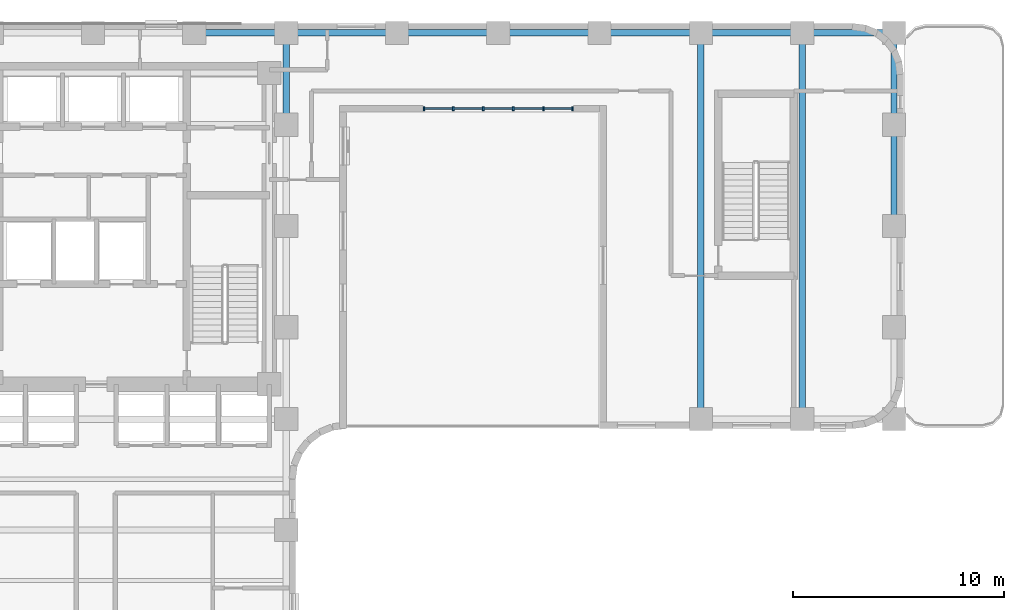
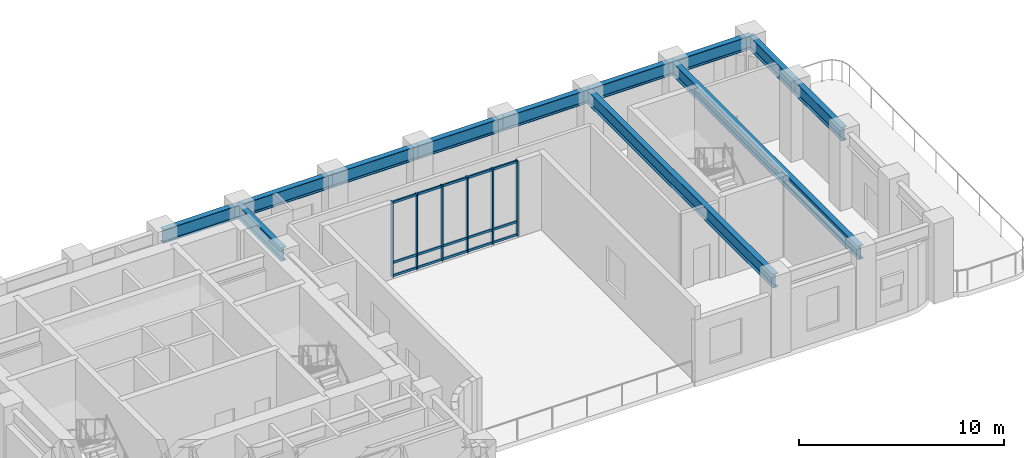
# One storey, part 4 of 12: 21 members, 12 beams, 1 element without a shape of its own.
"""IFC4 building model written with IfcOpenShell, lengths in metres."""

from ifc_helpers import new_model, si_unit, direction, frame, origin, origin_2d, place, context, subcontext, project, spatial, rectangle, i_section, extrude, material, material_profile, profile_set, type_object, element, aggregate, save


model = new_model("IFC4")

# Units and contexts
model_context = context("Model", 3, precision=1e-05, world=origin(), true_north=direction((0.0, 1.0)))
body_context = subcontext(model_context, "Body", "Model", "MODEL_VIEW")
ifc_project = project(units=[si_unit("LENGTHUNIT", "METRE"), si_unit("AREAUNIT", "SQUARE_METRE"), si_unit("VOLUMEUNIT", "CUBIC_METRE"), si_unit("PLANEANGLEUNIT", "RADIAN"), si_unit("MASSUNIT", "GRAM", prefix="KILO")], contexts=[model_context])

# Site, building, storey
site_placement = place(None, origin())
site = spatial("IfcSite", under=ifc_project, at=site_placement, CompositionType="ELEMENT")
building_placement = place(site_placement, origin())
building = spatial("IfcBuilding", under=site, at=building_placement, Name="Orvandelia Arch Residences", CompositionType="ELEMENT")
storey_placement = place(building_placement, frame((0.0, 0.0, 97.0)))
storey = spatial("IfcBuildingStorey", under=building, at=storey_placement, Name="L25", CompositionType="ELEMENT", Elevation=97.0)

# Beams
ifc_material_1 = material(Name="Structural Steel SM355 (355 MPa)", Category="steel")
ifc_material_profile_1 = material_profile(ifc_material_1, i_section(OverallWidth=0.300048828125, OverallDepth=0.800048828125, WebThickness=0.013916015625, FlangeThickness=0.02587890625, FilletRadius=0.02587890625, at=origin_2d()), Name="Structural Steel SM355 (355 MPa)", Category="steel")
ifc_profile_set_1 = profile_set([ifc_material_profile_1], Name="Structural Steel SM355 (355 MPa)")
beam_type = type_object("IfcBeamType", Name="BM-GRD-H800", PredefinedType="BEAM", material=ifc_profile_set_1)
beam_1_placement = place(storey_placement, frame((23.550048828125, 43.199951171875, 4.10009765625), z_axis=(0.0, 1.0, 0.0), x_axis=(-1.0, 0.0, 0.0)))
element("IfcBeam", 1, at=beam_1_placement, inside=storey, type_object=beam_type, Name="Structural Frame Beam L25-NS-017", PredefinedType="BEAM", context=body_context, shape_type="SweptSolid", body=[
    extrude(i_section(OverallWidth=0.300048828125, OverallDepth=0.800048828125, WebThickness=0.013916015625, FlangeThickness=0.02587890625, FilletRadius=0.02587890625, at=origin_2d()), origin(), (0.0, 0.0, 1.0), 4.35009765625),
])
for number, where, z_axis, x_axis, name in (
    (2, (43.199951171875, 29.25, 4.10009765625), (0.0, 1.0, 0.0), (-1.0, 0.0, 0.0), "Structural Frame Beam L25-NS-018"),
    (3, (48.0, 29.25, 4.10009765625), (0.0, 1.0, 0.0), (-1.0, 0.0, 0.0), "Structural Frame Beam L25-NS-019"),
):
    element("IfcBeam", number, at=place(storey_placement, frame(where, z_axis=z_axis, x_axis=x_axis)), inside=storey, type_object=beam_type, Name=name, PredefinedType="BEAM", context=body_context, shape_type="SweptSolid", body=[
        extrude(i_section(OverallWidth=0.300048828125, OverallDepth=0.800048828125, WebThickness=0.013916015625, FlangeThickness=0.02587890625, FilletRadius=0.02587890625, at=origin_2d()), origin(), (0.0, 0.0, 1.0), 18.300048828125),
    ])
beam_2_placement = place(storey_placement, frame((52.35009765625, 38.39990234375, 4.10009765625), z_axis=(0.0, 1.0, 0.0), x_axis=(-1.0, 0.0, 0.0)))
element("IfcBeam", 4, at=beam_2_placement, inside=storey, type_object=beam_type, Name="Structural Frame Beam L25-NS-022", PredefinedType="BEAM", context=body_context, shape_type="SweptSolid", body=[
    extrude(i_section(OverallWidth=0.300048828125, OverallDepth=0.800048828125, WebThickness=0.013916015625, FlangeThickness=0.02587890625, FilletRadius=0.02587890625, at=origin_2d()), origin(), (0.0, 0.0, 1.0), 4.800048828125),
])
for number, where, z_axis, x_axis, name in (
    (5, (52.35009765625, 43.199951171875, 4.10009765625), (0.0, 1.0, 0.0), (-1.0, 0.0, 0.0), "Structural Frame Beam L25-NS-023"),
    (6, (19.199951171875, 47.550048828125, 4.10009765625), (1.0, 0.0, 0.0), (0.0, 1.0, 0.0), "Structural Frame Girder L25-EW-040"),
):
    element("IfcBeam", number, at=place(storey_placement, frame(where, z_axis=z_axis, x_axis=x_axis)), inside=storey, type_object=beam_type, Name=name, PredefinedType="BEAM", context=body_context, shape_type="SweptSolid", body=[
        extrude(i_section(OverallWidth=0.300048828125, OverallDepth=0.800048828125, WebThickness=0.013916015625, FlangeThickness=0.02587890625, FilletRadius=0.02587890625, at=origin_2d()), origin(), (0.0, 0.0, 1.0), 4.35009765625),
    ])
beam_3_placement = place(storey_placement, frame((23.550048828125, 47.550048828125, 4.10009765625), z_axis=(1.0, 0.0, 0.0), x_axis=(0.0, 1.0, 0.0)))
element("IfcBeam", 7, at=beam_3_placement, inside=storey, type_object=beam_type, Name="Structural Frame Girder L25-EW-041", PredefinedType="BEAM", context=body_context, shape_type="SweptSolid", body=[
    extrude(i_section(OverallWidth=0.300048828125, OverallDepth=0.800048828125, WebThickness=0.013916015625, FlangeThickness=0.02587890625, FilletRadius=0.02587890625, at=origin_2d()), origin(), (0.0, 0.0, 1.0), 5.25),
])
beam_4_placement = place(storey_placement, frame((28.800048828125, 47.550048828125, 4.10009765625), z_axis=(1.0, 0.0, 0.0), x_axis=(0.0, 1.0, 0.0)))
element("IfcBeam", 8, at=beam_4_placement, inside=storey, type_object=beam_type, Name="Structural Frame Girder L25-EW-042", PredefinedType="BEAM", context=body_context, shape_type="SweptSolid", body=[
    extrude(i_section(OverallWidth=0.300048828125, OverallDepth=0.800048828125, WebThickness=0.013916015625, FlangeThickness=0.02587890625, FilletRadius=0.02587890625, at=origin_2d()), origin(), (0.0, 0.0, 1.0), 4.800048828125),
])
beam_5_placement = place(storey_placement, frame((33.60009765625, 47.550048828125, 4.10009765625), z_axis=(1.0, 0.0, 0.0), x_axis=(0.0, 1.0, 0.0)))
element("IfcBeam", 9, at=beam_5_placement, inside=storey, type_object=beam_type, Name="Structural Frame Girder L25-EW-043", PredefinedType="BEAM", context=body_context, shape_type="SweptSolid", body=[
    extrude(i_section(OverallWidth=0.300048828125, OverallDepth=0.800048828125, WebThickness=0.013916015625, FlangeThickness=0.02587890625, FilletRadius=0.02587890625, at=origin_2d()), origin(), (0.0, 0.0, 1.0), 4.7998046875),
])
for number, where, z_axis, x_axis, name in (
    (10, (38.39990234375, 47.550048828125, 4.10009765625), (1.0, 0.0, 0.0), (0.0, 1.0, 0.0), "Structural Frame Girder L25-EW-044"),
    (11, (43.199951171875, 47.550048828125, 4.10009765625), (1.0, 0.0, 0.0), (0.0, 1.0, 0.0), "Structural Frame Girder L25-EW-045"),
):
    element("IfcBeam", number, at=place(storey_placement, frame(where, z_axis=z_axis, x_axis=x_axis)), inside=storey, type_object=beam_type, Name=name, PredefinedType="BEAM", context=body_context, shape_type="SweptSolid", body=[
        extrude(i_section(OverallWidth=0.300048828125, OverallDepth=0.800048828125, WebThickness=0.013916015625, FlangeThickness=0.02587890625, FilletRadius=0.02587890625, at=origin_2d()), origin(), (0.0, 0.0, 1.0), 4.800048828125),
    ])
beam_6_placement = place(storey_placement, frame((48.0, 47.550048828125, 4.10009765625), z_axis=(1.0, 0.0, 0.0), x_axis=(0.0, 1.0, 0.0)))
element("IfcBeam", 12, at=beam_6_placement, inside=storey, type_object=beam_type, Name="Structural Frame Girder L25-EW-046", PredefinedType="BEAM", context=body_context, shape_type="SweptSolid", body=[
    extrude(i_section(OverallWidth=0.300048828125, OverallDepth=0.800048828125, WebThickness=0.013916015625, FlangeThickness=0.02587890625, FilletRadius=0.02587890625, at=origin_2d()), origin(), (0.0, 0.0, 1.0), 4.35009765625),
])

# Curtain wall, members
ifc_material_2 = material(Name="Anodised Bronze Curtain Wall Assembly")
curtain_wall_type = type_object("IfcCurtainWallType", Name="CW-SYS3-SKY", PredefinedType="NOTDEFINED", material=ifc_material_2)
curtain_wall_placement = place(storey_placement, origin())
curtain_wall = element("IfcCurtainWall", 13, at=curtain_wall_placement, inside=storey, type_object=curtain_wall_type, Name="Sky Garden Bridge Curtain Wall L25 5", PredefinedType="NOTDEFINED")
ifc_material_3 = material(Name="Anodised Aluminium Alloy 6063-T6", Category="aluminium")
ifc_material_profile_2 = material_profile(ifc_material_3, rectangle(XDim=0.080078125, YDim=0.179931640625, at=origin_2d()), Name="Anodised Aluminium Alloy 6063-T6", Category="aluminium")
ifc_profile_set_2 = profile_set([ifc_material_profile_2], Name="Anodised Aluminium Alloy 6063-T6")
member_type_1 = type_object("IfcMemberType", Name="CW-MULLION-80x160", PredefinedType="MULLION", material=ifc_profile_set_2)
member_1_placement = place(storey_placement, frame((30.080078125, 43.9599609375, 0.0), z_axis=(0.0, 0.0, 1.0), x_axis=(1.0, 0.0, 0.0)))
member_1 = element("IfcMember", 14, at=member_1_placement, type_object=member_type_1, Name="Curtain Wall Mullion CW-L25-5-M1", PredefinedType="MULLION", context=body_context, shape_type="SweptSolid", body=[
    extrude(rectangle(XDim=0.080078125, YDim=0.179931640625, at=origin_2d()), origin(), (0.0, 0.0, 1.0), 4.5),
])
member_2_placement = place(storey_placement, frame((31.464111328125, 43.9599609375, 0.0), z_axis=(0.0, 0.0, 1.0), x_axis=(1.0, 0.0, 0.0)))
member_2 = element("IfcMember", 15, at=member_2_placement, type_object=member_type_1, Name="Curtain Wall Mullion CW-L25-5-M2", PredefinedType="MULLION", context=body_context, shape_type="SweptSolid", body=[
    extrude(rectangle(XDim=0.080078125, YDim=0.179931640625, at=origin_2d()), origin(), (0.0, 0.0, 1.0), 4.5),
])
member_3_placement = place(storey_placement, frame((32.887939453125, 43.9599609375, 0.0), z_axis=(0.0, 0.0, 1.0), x_axis=(1.0, 0.0, 0.0)))
member_3 = element("IfcMember", 16, at=member_3_placement, type_object=member_type_1, Name="Curtain Wall Mullion CW-L25-5-M3", PredefinedType="MULLION", context=body_context, shape_type="SweptSolid", body=[
    extrude(rectangle(XDim=0.080078125, YDim=0.179931640625, at=origin_2d()), origin(), (0.0, 0.0, 1.0), 4.5),
])
member_4_placement = place(storey_placement, frame((34.31201171875, 43.9599609375, 0.0), z_axis=(0.0, 0.0, 1.0), x_axis=(1.0, 0.0, 0.0)))
member_4 = element("IfcMember", 17, at=member_4_placement, type_object=member_type_1, Name="Curtain Wall Mullion CW-L25-5-M4", PredefinedType="MULLION", context=body_context, shape_type="SweptSolid", body=[
    extrude(rectangle(XDim=0.080078125, YDim=0.179931640625, at=origin_2d()), origin(), (0.0, 0.0, 1.0), 4.5),
])
member_5_placement = place(storey_placement, frame((35.736083984375, 43.9599609375, 0.0), z_axis=(0.0, 0.0, 1.0), x_axis=(1.0, 0.0, 0.0)))
member_5 = element("IfcMember", 18, at=member_5_placement, type_object=member_type_1, Name="Curtain Wall Mullion CW-L25-5-M5", PredefinedType="MULLION", context=body_context, shape_type="SweptSolid", body=[
    extrude(rectangle(XDim=0.080078125, YDim=0.179931640625, at=origin_2d()), origin(), (0.0, 0.0, 1.0), 4.5),
])
member_6_placement = place(storey_placement, frame((37.1201171875, 43.9599609375, 0.0), z_axis=(0.0, 0.0, 1.0), x_axis=(1.0, 0.0, 0.0)))
member_6 = element("IfcMember", 19, at=member_6_placement, type_object=member_type_1, Name="Curtain Wall Mullion CW-L25-5-M6", PredefinedType="MULLION", context=body_context, shape_type="SweptSolid", body=[
    extrude(rectangle(XDim=0.080078125, YDim=0.179931640625, at=origin_2d()), origin(), (0.0, 0.0, 1.0), 4.5),
])
ifc_material_profile_3 = material_profile(ifc_material_3, rectangle(XDim=0.080078125, YDim=0.139892578125, at=origin_2d()), Name="Anodised Aluminium Alloy 6063-T6", Category="aluminium")
ifc_profile_set_3 = profile_set([ifc_material_profile_3], Name="Anodised Aluminium Alloy 6063-T6")
member_type_2 = type_object("IfcMemberType", Name="CW-TRANSOM-80x140", PredefinedType="USERDEFINED", material=ifc_profile_set_3)
member_7_placement = place(storey_placement, frame((30.10498046875, 43.9599609375, 0.070068359375), z_axis=(1.0, 0.0, 0.0), x_axis=(0.0, 1.0, 0.0)))
member_7 = element("IfcMember", 20, at=member_7_placement, type_object=member_type_2, Name="Curtain Wall Transom CW-L25-5-T1-1", ObjectType="TRANSOM", PredefinedType="USERDEFINED", context=body_context, shape_type="SweptSolid", body=[
    extrude(rectangle(XDim=0.080078125, YDim=0.139892578125, at=origin_2d()), origin(), (0.0, 0.0, 1.0), 1.333984375),
])
member_8_placement = place(storey_placement, frame((30.10498046875, 43.9599609375, 0.85009765625), z_axis=(1.0, 0.0, 0.0), x_axis=(0.0, 1.0, 0.0)))
member_8 = element("IfcMember", 21, at=member_8_placement, type_object=member_type_2, Name="Curtain Wall Transom CW-L25-5-T1-2", ObjectType="TRANSOM", PredefinedType="USERDEFINED", context=body_context, shape_type="SweptSolid", body=[
    extrude(rectangle(XDim=0.080078125, YDim=0.139892578125, at=origin_2d()), origin(), (0.0, 0.0, 1.0), 1.333984375),
])
member_9_placement = place(storey_placement, frame((30.10498046875, 43.9599609375, 4.429931640625), z_axis=(1.0, 0.0, 0.0), x_axis=(0.0, 1.0, 0.0)))
member_9 = element("IfcMember", 22, at=member_9_placement, type_object=member_type_2, Name="Curtain Wall Transom CW-L25-5-T1-3", ObjectType="TRANSOM", PredefinedType="USERDEFINED", context=body_context, shape_type="SweptSolid", body=[
    extrude(rectangle(XDim=0.080078125, YDim=0.139892578125, at=origin_2d()), origin(), (0.0, 0.0, 1.0), 1.333984375),
])
member_10_placement = place(storey_placement, frame((31.489013671875, 43.9599609375, 0.070068359375), z_axis=(1.0, 0.0, 0.0), x_axis=(0.0, 1.0, 0.0)))
member_10 = element("IfcMember", 23, at=member_10_placement, type_object=member_type_2, Name="Curtain Wall Transom CW-L25-5-T2-1", ObjectType="TRANSOM", PredefinedType="USERDEFINED", context=body_context, shape_type="SweptSolid", body=[
    extrude(rectangle(XDim=0.080078125, YDim=0.139892578125, at=origin_2d()), origin(), (0.0, 0.0, 1.0), 1.3740234375),
])
member_11_placement = place(storey_placement, frame((31.489013671875, 43.9599609375, 0.85009765625), z_axis=(1.0, 0.0, 0.0), x_axis=(0.0, 1.0, 0.0)))
member_11 = element("IfcMember", 24, at=member_11_placement, type_object=member_type_2, Name="Curtain Wall Transom CW-L25-5-T2-2", ObjectType="TRANSOM", PredefinedType="USERDEFINED", context=body_context, shape_type="SweptSolid", body=[
    extrude(rectangle(XDim=0.080078125, YDim=0.139892578125, at=origin_2d()), origin(), (0.0, 0.0, 1.0), 1.3740234375),
])
member_12_placement = place(storey_placement, frame((31.489013671875, 43.9599609375, 4.429931640625), z_axis=(1.0, 0.0, 0.0), x_axis=(0.0, 1.0, 0.0)))
member_12 = element("IfcMember", 25, at=member_12_placement, type_object=member_type_2, Name="Curtain Wall Transom CW-L25-5-T2-3", ObjectType="TRANSOM", PredefinedType="USERDEFINED", context=body_context, shape_type="SweptSolid", body=[
    extrude(rectangle(XDim=0.080078125, YDim=0.139892578125, at=origin_2d()), origin(), (0.0, 0.0, 1.0), 1.3740234375),
])
member_13_placement = place(storey_placement, frame((32.9130859375, 43.9599609375, 0.070068359375), z_axis=(1.0, 0.0, 0.0), x_axis=(0.0, 1.0, 0.0)))
member_13 = element("IfcMember", 26, at=member_13_placement, type_object=member_type_2, Name="Curtain Wall Transom CW-L25-5-T3-1", ObjectType="TRANSOM", PredefinedType="USERDEFINED", context=body_context, shape_type="SweptSolid", body=[
    extrude(rectangle(XDim=0.080078125, YDim=0.139892578125, at=origin_2d()), origin(), (0.0, 0.0, 1.0), 1.3740234375),
])
member_14_placement = place(storey_placement, frame((32.9130859375, 43.9599609375, 0.85009765625), z_axis=(1.0, 0.0, 0.0), x_axis=(0.0, 1.0, 0.0)))
member_14 = element("IfcMember", 27, at=member_14_placement, type_object=member_type_2, Name="Curtain Wall Transom CW-L25-5-T3-2", ObjectType="TRANSOM", PredefinedType="USERDEFINED", context=body_context, shape_type="SweptSolid", body=[
    extrude(rectangle(XDim=0.080078125, YDim=0.139892578125, at=origin_2d()), origin(), (0.0, 0.0, 1.0), 1.3740234375),
])
member_15_placement = place(storey_placement, frame((32.9130859375, 43.9599609375, 4.429931640625), z_axis=(1.0, 0.0, 0.0), x_axis=(0.0, 1.0, 0.0)))
member_15 = element("IfcMember", 28, at=member_15_placement, type_object=member_type_2, Name="Curtain Wall Transom CW-L25-5-T3-3", ObjectType="TRANSOM", PredefinedType="USERDEFINED", context=body_context, shape_type="SweptSolid", body=[
    extrude(rectangle(XDim=0.080078125, YDim=0.139892578125, at=origin_2d()), origin(), (0.0, 0.0, 1.0), 1.3740234375),
])
member_16_placement = place(storey_placement, frame((34.3369140625, 43.9599609375, 0.070068359375), z_axis=(1.0, 0.0, 0.0), x_axis=(0.0, 1.0, 0.0)))
member_16 = element("IfcMember", 29, at=member_16_placement, type_object=member_type_2, Name="Curtain Wall Transom CW-L25-5-T4-1", ObjectType="TRANSOM", PredefinedType="USERDEFINED", context=body_context, shape_type="SweptSolid", body=[
    extrude(rectangle(XDim=0.080078125, YDim=0.139892578125, at=origin_2d()), origin(), (0.0, 0.0, 1.0), 1.3740234375),
])
member_17_placement = place(storey_placement, frame((34.3369140625, 43.9599609375, 0.85009765625), z_axis=(1.0, 0.0, 0.0), x_axis=(0.0, 1.0, 0.0)))
member_17 = element("IfcMember", 30, at=member_17_placement, type_object=member_type_2, Name="Curtain Wall Transom CW-L25-5-T4-2", ObjectType="TRANSOM", PredefinedType="USERDEFINED", context=body_context, shape_type="SweptSolid", body=[
    extrude(rectangle(XDim=0.080078125, YDim=0.139892578125, at=origin_2d()), origin(), (0.0, 0.0, 1.0), 1.3740234375),
])
member_18_placement = place(storey_placement, frame((34.3369140625, 43.9599609375, 4.429931640625), z_axis=(1.0, 0.0, 0.0), x_axis=(0.0, 1.0, 0.0)))
member_18 = element("IfcMember", 31, at=member_18_placement, type_object=member_type_2, Name="Curtain Wall Transom CW-L25-5-T4-3", ObjectType="TRANSOM", PredefinedType="USERDEFINED", context=body_context, shape_type="SweptSolid", body=[
    extrude(rectangle(XDim=0.080078125, YDim=0.139892578125, at=origin_2d()), origin(), (0.0, 0.0, 1.0), 1.3740234375),
])
member_19_placement = place(storey_placement, frame((35.760986328125, 43.9599609375, 0.070068359375), z_axis=(1.0, 0.0, 0.0), x_axis=(0.0, 1.0, 0.0)))
member_19 = element("IfcMember", 32, at=member_19_placement, type_object=member_type_2, Name="Curtain Wall Transom CW-L25-5-T5-1", ObjectType="TRANSOM", PredefinedType="USERDEFINED", context=body_context, shape_type="SweptSolid", body=[
    extrude(rectangle(XDim=0.080078125, YDim=0.139892578125, at=origin_2d()), origin(), (0.0, 0.0, 1.0), 1.333984375),
])
member_20_placement = place(storey_placement, frame((35.760986328125, 43.9599609375, 0.85009765625), z_axis=(1.0, 0.0, 0.0), x_axis=(0.0, 1.0, 0.0)))
member_20 = element("IfcMember", 33, at=member_20_placement, type_object=member_type_2, Name="Curtain Wall Transom CW-L25-5-T5-2", ObjectType="TRANSOM", PredefinedType="USERDEFINED", context=body_context, shape_type="SweptSolid", body=[
    extrude(rectangle(XDim=0.080078125, YDim=0.139892578125, at=origin_2d()), origin(), (0.0, 0.0, 1.0), 1.333984375),
])
member_21_placement = place(storey_placement, frame((35.760986328125, 43.9599609375, 4.429931640625), z_axis=(1.0, 0.0, 0.0), x_axis=(0.0, 1.0, 0.0)))
member_21 = element("IfcMember", 34, at=member_21_placement, type_object=member_type_2, Name="Curtain Wall Transom CW-L25-5-T5-3", ObjectType="TRANSOM", PredefinedType="USERDEFINED", context=body_context, shape_type="SweptSolid", body=[
    extrude(rectangle(XDim=0.080078125, YDim=0.139892578125, at=origin_2d()), origin(), (0.0, 0.0, 1.0), 1.333984375),
])
aggregate(curtain_wall, [member_1, member_2, member_3, member_4, member_5, member_6, member_7, member_8, member_9, member_10, member_11, member_12, member_13, member_14, member_15, member_16, member_17, member_18, member_19, member_20, member_21])

save(model, "model.ifc")
